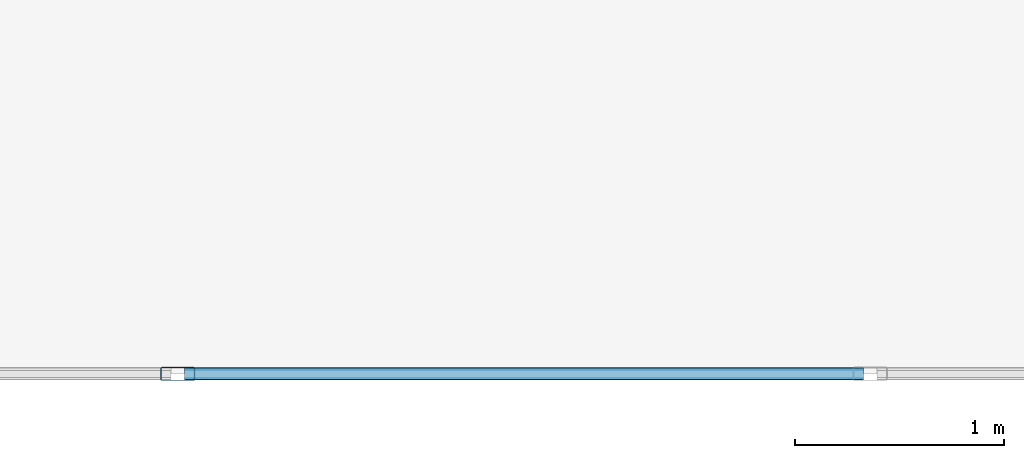
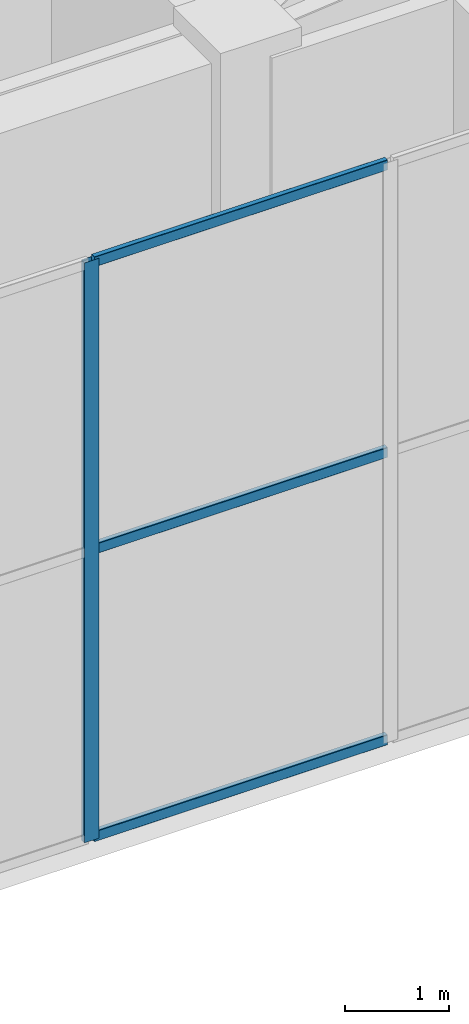
# One storey, part 4 of 24: 4 members, 1 element without a shape of its own.
"""IFC4 building model written with IfcOpenShell, lengths in metres."""

import ifcopenshell
import ifcopenshell.guid

model = None  # the IFC model being written
_history = None  # IfcOwnerHistory: only IFC2X3 demands one
_inside = {}  # id of a spatial element -> (the spatial element, [elements in it])
_under = {}  # id of a project, library or spatial element -> (it, [spatial elements below it])
_declared = {}  # id of a project -> (the project, [libraries it declares])
_typed = {}  # id of a type object -> (the type object, [elements of that type])
_made_of = {}  # id of a material, layer set ... -> (it, [elements and type objects made of it])


def new_model(schema):
    """Start an empty IFC model of exactly this schema.

    Asked for "IFC4X3", IfcOpenShell would pick the latest addendum, in which some entities
    have other attributes; the version numbers below select the first issue.
    IFC2X3 requires an IfcOwnerHistory on every rooted entity: one is made here for all.
    """
    global model, _history
    if schema == "IFC4X3":
        model = ifcopenshell.file(schema_version=(4, 3, 0, 0))
    else:
        model = ifcopenshell.file(schema=schema)
    _inside.clear()
    _under.clear()
    _declared.clear()
    _typed.clear()
    _made_of.clear()
    _history = None
    if model.schema == "IFC2X3":
        org = make("IfcOrganization", Name="unknown")
        user = make(
            "IfcPersonAndOrganization",
            ThePerson=make("IfcPerson", FamilyName="unknown"),
            TheOrganization=org,
        )
        app = make(
            "IfcApplication",
            ApplicationDeveloper=org,
            Version="unknown",
            ApplicationFullName="unknown",
            ApplicationIdentifier="unknown",
        )
        _history = make(
            "IfcOwnerHistory",
            OwningUser=user,
            OwningApplication=app,
            ChangeAction="ADDED",
            CreationDate=0,
        )
    return model


def make(cls, **values):
    """One entity of the class cls with the attributes given. An attribute that is None is left unset."""
    return model.create_entity(
        cls, **{name: value for name, value in values.items() if value is not None}
    )


def rooted(cls, **values):
    """An entity with a GlobalId (a new one), such as an element, a storey or a relation."""
    return make(cls, GlobalId=ifcopenshell.guid.new(), OwnerHistory=_history, **values)


def si_unit(unit_type, name, prefix=None):
    """IfcSIUnit, for example si_unit("LENGTHUNIT", "METRE", prefix="MILLI")."""
    return make("IfcSIUnit", UnitType=unit_type, Prefix=prefix, Name=name)


def assignment(units):
    """IfcUnitAssignment: the units of a project."""
    return None if units is None else make("IfcUnitAssignment", Units=units)


def point(xyz):
    """IfcCartesianPoint."""
    return None if xyz is None else make("IfcCartesianPoint", Coordinates=xyz)


def direction(xyz):
    """IfcDirection."""
    return None if xyz is None else make("IfcDirection", DirectionRatios=xyz)


def frame(location, z_axis=None, x_axis=None):
    """IfcAxis2Placement3D, a coordinate frame: its origin and axes. An axis left out is left unset."""
    return make(
        "IfcAxis2Placement3D",
        Location=point(location),
        Axis=direction(z_axis),
        RefDirection=direction(x_axis),
    )


def frame_2d(location, x_axis=None):
    """IfcAxis2Placement2D, a coordinate frame in the plane: its origin and x axis."""
    return make(
        "IfcAxis2Placement2D", Location=point(location), RefDirection=direction(x_axis)
    )


def origin():
    """The frame at (0, 0, 0) with its axes left unset."""
    return frame((0.0, 0.0, 0.0))


def origin_2d():
    """The frame at (0, 0) in the plane with its x axis left unset."""
    return frame_2d((0.0, 0.0))


def place(relative_to, where):
    """IfcLocalPlacement: puts the frame where relative to a parent placement (None: the world)."""
    return make(
        "IfcLocalPlacement", PlacementRelTo=relative_to, RelativePlacement=where
    )


def context(
    kind, dimensions, precision=None, world=None, true_north=None, identifier=None
):
    """IfcGeometricRepresentationContext, for example the 3D "Model" context."""
    return make(
        "IfcGeometricRepresentationContext",
        ContextIdentifier=identifier,
        ContextType=kind,
        CoordinateSpaceDimension=dimensions,
        Precision=precision,
        WorldCoordinateSystem=world,
        TrueNorth=true_north,
    )


def subcontext(parent, identifier, kind, view, scale=None):
    """IfcGeometricRepresentationSubContext, for example "Body" below "Model"."""
    return make(
        "IfcGeometricRepresentationSubContext",
        ContextIdentifier=identifier,
        ContextType=kind,
        ParentContext=parent,
        TargetScale=scale,
        TargetView=view,
    )


def project(units=None, contexts=None):
    """IfcProject with its units and contexts."""
    return rooted(
        "IfcProject",
        Name="project",
        RepresentationContexts=contexts,
        UnitsInContext=assignment(units),
    )


def spatial(cls, under=None, at=None, **own):
    """A site, building, storey or space (cls), placed at a placement, below another one or the project."""
    s = rooted(cls, ObjectPlacement=at, **own)
    if under is not None:
        _under.setdefault(under.id(), (under, []))[1].append(s)
    return s


def profile(cls, at=None, kind="AREA", **sizes):
    """A parametric profile (cls). Its sizes go by their IFC names, for example OverallWidth=200.0."""
    return make(cls, ProfileType=kind, Position=at, **sizes)


def hollow_rectangle(**sizes):
    """IfcRectangleHollowProfileDef."""
    return profile("IfcRectangleHollowProfileDef", **sizes)


def extrude(swept, where, along, depth):
    """IfcExtrudedAreaSolid: the profile swept, set in the frame where, extruded along a direction by depth."""
    return make(
        "IfcExtrudedAreaSolid",
        SweptArea=swept,
        Position=where,
        ExtrudedDirection=direction(along),
        Depth=depth,
    )


def shape(context_of_items, identifier, shape_type, items):
    """IfcShapeRepresentation: the items that make up one representation, for example the "Body"."""
    return make(
        "IfcShapeRepresentation",
        ContextOfItems=context_of_items,
        RepresentationIdentifier=identifier,
        RepresentationType=shape_type,
        Items=items,
    )


def material(Name=None, Category=None):
    """IfcMaterial."""
    return make("IfcMaterial", Name=Name, Category=Category)


def layer(
    of_material, thickness, ventilated=None, Name=None, Category=None, Priority=None
):
    """IfcMaterialLayer: one layer of a wall or slab, of a material (None: an air gap)."""
    return make(
        "IfcMaterialLayer",
        Material=of_material,
        LayerThickness=thickness,
        IsVentilated=ventilated,
        Name=Name,
        Category=Category,
        Priority=Priority,
    )


def layer_set(layers, Name=None):
    """IfcMaterialLayerSet."""
    return make("IfcMaterialLayerSet", MaterialLayers=layers, LayerSetName=Name)


def material_profile(
    of_material, cross_section, Name=None, Category=None, Priority=None
):
    """IfcMaterialProfile: a cross section and its material."""
    return make(
        "IfcMaterialProfile",
        Name=Name,
        Material=of_material,
        Profile=cross_section,
        Priority=Priority,
        Category=Category,
    )


def profile_set(profiles, Name=None, composite=None):
    """IfcMaterialProfileSet."""
    return make(
        "IfcMaterialProfileSet",
        Name=Name,
        MaterialProfiles=profiles,
        CompositeProfile=composite,
    )


def made_of(thing, what):
    """Note that an element or type object is made of a material, layer set ...; save() writes the relation."""
    if what is not None:
        _made_of.setdefault(what.id(), (what, []))[1].append(thing)
    return thing


def type_object(cls, material=None, **own):
    """A type object (cls), such as IfcWallType, which elements share."""
    return made_of(rooted(cls, **own), material)


def element(
    cls,
    number,
    at=None,
    inside=None,
    cuts=None,
    type_object=None,
    material=None,
    context=None,
    identifier="Body",
    shape_type=None,
    held_by="IfcProductDefinitionShape",
    body=None,
    shapes=None,
    **own,
):
    """One element of the class cls, such as IfcWall. Its Tag is "e" and its number.

    at: its placement. inside: the storey or other place that contains it. cuts: it is an
    opening in that element (IfcRelVoidsElement). A single representation is given by context,
    identifier, shape_type and body (its items); several are given by shapes. held_by: the class
    of the entity that holds the representations. save() writes the other relations.
    """
    e = rooted(cls, Tag="e%d" % number, ObjectPlacement=at, **own)
    if body is not None:
        shapes = [shape(context, identifier, shape_type, body)]
    if shapes is not None:
        e.Representation = make(held_by, Representations=shapes)
    if inside is not None:
        _inside.setdefault(inside.id(), (inside, []))[1].append(e)
    if cuts is not None:
        rooted(
            "IfcRelVoidsElement", RelatingBuildingElement=cuts, RelatedOpeningElement=e
        )
    if type_object is not None:
        _typed.setdefault(type_object.id(), (type_object, []))[1].append(e)
    return made_of(e, material)


def aggregate(whole, parts):
    """IfcRelAggregates: a whole, such as a stair, and the parts it consists of."""
    return rooted("IfcRelAggregates", RelatingObject=whole, RelatedObjects=parts)


def save(model, path):
    """Write the relations noted so far, then the file.

    IfcRelAggregates (storeys below a building ...), IfcRelContainedInSpatialStructure (elements
    in a storey), IfcRelDefinesByType, IfcRelAssociatesMaterial and IfcRelDeclares: one each for
    every whole, place, type object, material and project.
    """
    for whole, parts in _under.values():
        aggregate(whole, parts)
    for where, things in _inside.values():
        rooted(
            "IfcRelContainedInSpatialStructure",
            RelatedElements=things,
            RelatingStructure=where,
        )
    for kind, things in _typed.values():
        rooted("IfcRelDefinesByType", RelatedObjects=things, RelatingType=kind)
    for what, things in _made_of.values():
        rooted("IfcRelAssociatesMaterial", RelatedObjects=things, RelatingMaterial=what)
    for by, libraries in _declared.values():
        rooted("IfcRelDeclares", RelatingContext=by, RelatedDefinitions=libraries)
    model.write(path)


model = new_model("IFC4")

# Units and contexts
model_context = context("Model", 3, precision=1e-05, world=origin(), true_north=direction((0.0, 1.0)))
body_context = subcontext(model_context, "Body", "Model", "MODEL_VIEW")
ifc_project = project(units=[si_unit("LENGTHUNIT", "METRE"), si_unit("AREAUNIT", "SQUARE_METRE"), si_unit("VOLUMEUNIT", "CUBIC_METRE"), si_unit("PLANEANGLEUNIT", "RADIAN"), si_unit("MASSUNIT", "GRAM", prefix="KILO")], contexts=[model_context])

# Site, building, storey
site_placement = place(None, origin())
site = spatial("IfcSite", under=ifc_project, at=site_placement, CompositionType="ELEMENT")
building_placement = place(site_placement, origin())
building = spatial("IfcBuilding", under=site, at=building_placement, Name="An Khanh Terracotta Commons", CompositionType="ELEMENT")
storey_placement = place(building_placement, frame((0.0, 0.0, 315.199951171875)))
storey = spatial("IfcBuildingStorey", under=building, at=storey_placement, Name="L80 Crown Cooling Plant", CompositionType="ELEMENT", Elevation=315.199951171875)

# Curtain wall, members
ifc_material = material(Name="Anodised Aluminium 6063-T6", Category="aluminium")
ifc_layer = layer(ifc_material, 0.18994140625, Name="Anodised Aluminium 6063-T6")
ifc_layer_set = layer_set([ifc_layer], Name="Anodised Aluminium 6063-T6")
curtain_wall_type = type_object("IfcCurtainWallType", Name="CW-SYS-06", PredefinedType="USERDEFINED", material=ifc_layer_set)
curtain_wall_placement = place(storey_placement, origin())
curtain_wall = element("IfcCurtainWall", 1, at=curtain_wall_placement, inside=storey, type_object=curtain_wall_type, Name="L80 Crown Cooling Plant CW-06 Unitised Curtain Wall CW-L80-04", ObjectType="UNITISED CURTAIN WALL", PredefinedType="USERDEFINED")
ifc_material_profile_1 = material_profile(ifc_material, hollow_rectangle(XDim=0.06494140625, YDim=0.1650390625, WallThickness=0.00390625, InnerFilletRadius=0.00390625, OuterFilletRadius=0.008056640625, at=origin_2d()), Name="RHS165x65x4")
ifc_profile_set_1 = profile_set([ifc_material_profile_1], Name="Anodised Aluminium 6063-T6")
member_type_1 = type_object("IfcMemberType", Name="CWM-RHS165x65x4", PredefinedType="MULLION", material=ifc_profile_set_1)
member_1_placement = place(storey_placement, frame((33.947021484375, 11.60009765625, 0.0), z_axis=(0.0, 0.0, 1.0), x_axis=(0.0, 1.0, 0.0)))
member_1 = element("IfcMember", 2, at=member_1_placement, type_object=member_type_1, Name="CW-06 mullion 4", PredefinedType="MULLION", context=body_context, shape_type="SweptSolid", body=[
    extrude(hollow_rectangle(XDim=0.06494140625, YDim=0.1650390625, WallThickness=0.00390625, InnerFilletRadius=0.00390625, OuterFilletRadius=0.008056640625, at=origin_2d()), origin(), (0.0, 0.0, 1.0), 6.800048828125),
])
ifc_material_profile_2 = material_profile(ifc_material, hollow_rectangle(XDim=0.06005859375, YDim=0.1201171875, WallThickness=0.003662109375, InnerFilletRadius=0.003662109375, OuterFilletRadius=0.007080078125, at=origin_2d()), Name="RHS120x60x3.6")
ifc_profile_set_2 = profile_set([ifc_material_profile_2], Name="Anodised Aluminium 6063-T6")
member_type_2 = type_object("IfcMemberType", Name="CWT-RHS120x60x3.6", PredefinedType="USERDEFINED", material=ifc_profile_set_2)
member_2_placement = place(storey_placement, frame((33.9794921875, 11.60009765625, 0.030029296875), z_axis=(1.0, 0.0, 0.0), x_axis=(0.0, 1.0, 0.0)))
member_2 = element("IfcMember", 3, at=member_2_placement, type_object=member_type_2, Name="CW-06 transom 4.1", ObjectType="TRANSOM", PredefinedType="USERDEFINED", context=body_context, shape_type="SweptSolid", body=[
    extrude(hollow_rectangle(XDim=0.06005859375, YDim=0.1201171875, WallThickness=0.003662109375, InnerFilletRadius=0.003662109375, OuterFilletRadius=0.007080078125, at=origin_2d()), origin(), (0.0, 0.0, 1.0), 3.250732421875),
])
member_3_placement = place(storey_placement, frame((33.9794921875, 11.60009765625, 3.400146484375), z_axis=(1.0, 0.0, 0.0), x_axis=(0.0, 1.0, 0.0)))
member_3 = element("IfcMember", 4, at=member_3_placement, type_object=member_type_2, Name="CW-06 transom 4.2", ObjectType="TRANSOM", PredefinedType="USERDEFINED", context=body_context, shape_type="SweptSolid", body=[
    extrude(hollow_rectangle(XDim=0.06005859375, YDim=0.1201171875, WallThickness=0.003662109375, InnerFilletRadius=0.003662109375, OuterFilletRadius=0.007080078125, at=origin_2d()), origin(), (0.0, 0.0, 1.0), 3.250732421875),
])
member_4_placement = place(storey_placement, frame((33.9794921875, 11.60009765625, 6.77001953125), z_axis=(1.0, 0.0, 0.0), x_axis=(0.0, 1.0, 0.0)))
member_4 = element("IfcMember", 5, at=member_4_placement, type_object=member_type_2, Name="CW-06 transom 4.3", ObjectType="TRANSOM", PredefinedType="USERDEFINED", context=body_context, shape_type="SweptSolid", body=[
    extrude(hollow_rectangle(XDim=0.06005859375, YDim=0.1201171875, WallThickness=0.003662109375, InnerFilletRadius=0.003662109375, OuterFilletRadius=0.007080078125, at=origin_2d()), origin(), (0.0, 0.0, 1.0), 3.250732421875),
])
aggregate(curtain_wall, [member_1, member_2, member_3, member_4])

save(model, "model.ifc")
